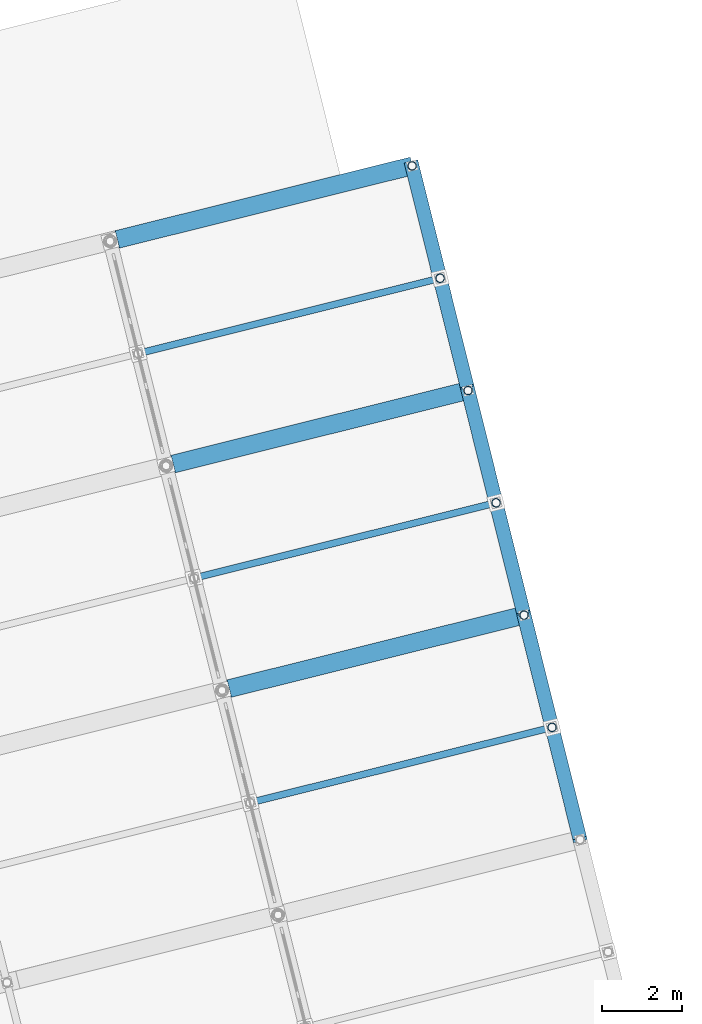
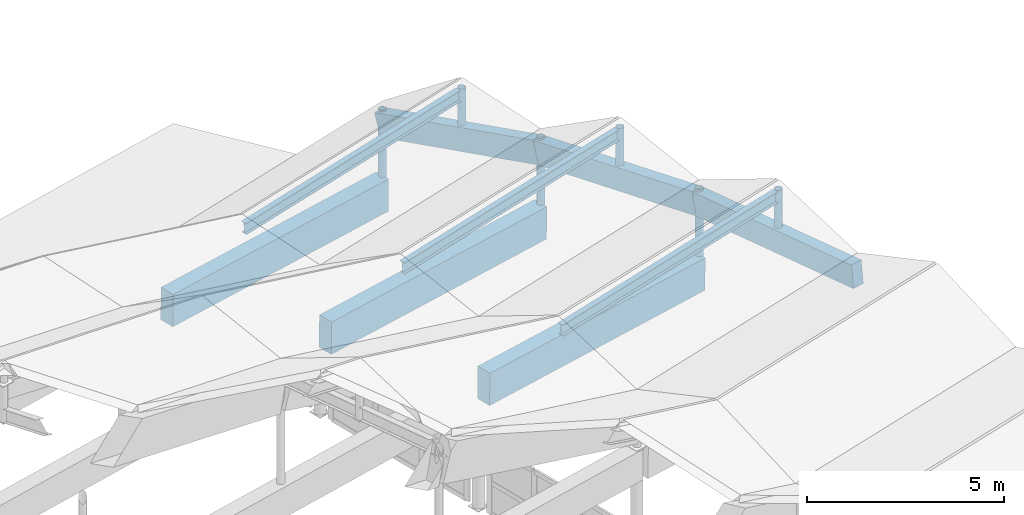
# One storey, part 32 of 65: 9 beams, 6 members.
"""IFC4 building model written with IfcOpenShell, lengths in metres."""

from ifc_helpers import new_model, si_unit, direction, frame, origin, origin_2d, place, context, subcontext, project, spatial, rectangle, hollow_circle, i_section, extrude, material, material_profile, profile_set, type_object, element, save


model = new_model("IFC4")

# Units and contexts
model_context = context("Model", 3, precision=1e-05, world=origin(), true_north=direction((0.0, 1.0)))
body_context = subcontext(model_context, "Body", "Model", "MODEL_VIEW")
ifc_project = project(units=[si_unit("LENGTHUNIT", "METRE"), si_unit("AREAUNIT", "SQUARE_METRE"), si_unit("VOLUMEUNIT", "CUBIC_METRE"), si_unit("PLANEANGLEUNIT", "RADIAN"), si_unit("MASSUNIT", "GRAM", prefix="KILO")], contexts=[model_context])

# Site, building, storey
site_placement = place(None, origin())
site = spatial("IfcSite", under=ifc_project, at=site_placement, CompositionType="ELEMENT")
building_placement = place(site_placement, origin())
building = spatial("IfcBuilding", under=site, at=building_placement, Name="Cinderway Yard Community Centre", CompositionType="ELEMENT")
storey_placement = place(building_placement, frame((0.0, 0.0, 24.300048828125)))
storey = spatial("IfcBuildingStorey", under=building, at=storey_placement, Name="RF", CompositionType="ELEMENT", Elevation=24.300048828125)

# Beams
ifc_material_1 = material(Name="Concrete C35/45", Category="concrete")
ifc_material_profile_1 = material_profile(ifc_material_1, rectangle(XDim=0.35009765625, YDim=0.699951171875, at=origin_2d()), Name="Concrete C35/45")
ifc_profile_set_1 = profile_set([ifc_material_profile_1], Name="Concrete C35/45")
beam_type_1 = type_object("IfcBeamType", Name="STR-BM-RC350X700", PredefinedType="BEAM", material=ifc_profile_set_1)
beam_1_placement = place(storey_placement, frame((48.93310546875, 56.2890625, -5.074951171875), z_axis=(-0.240426043456, 0.96421427694, -0.111741423712), x_axis=(-0.97029090175, -0.241941244896, 0.0)))
element("IfcBeam", 1, at=beam_1_placement, inside=storey, type_object=beam_type_1, Name="Folded-plate valley beam B5-U36", PredefinedType="BEAM", context=body_context, shape_type="SweptSolid", body=[
    extrude(rectangle(XDim=0.35009765625, YDim=0.699951171875, at=origin_2d()), origin(), (0.0, 0.0, 1.0), 5.835693359375),
])
beam_2_placement = place(storey_placement, frame((47.530029296875, 61.916015625, -5.72705078125), z_axis=(-0.235790387883, 0.94578737106, -0.223358773558), x_axis=(-0.97030075642, -0.2419017199, 0.0)))
element("IfcBeam", 2, at=beam_2_placement, inside=storey, type_object=beam_type_1, Name="Folded-plate valley beam B6-U36", PredefinedType="BEAM", context=body_context, shape_type="SweptSolid", body=[
    extrude(rectangle(XDim=0.35009765625, YDim=0.699951171875, at=origin_2d()), origin(), (0.0, 0.0, 1.0), 5.950439453125),
])
beam_3_placement = place(storey_placement, frame((46.126953125, 67.5439453125, -7.05615234375), z_axis=(-0.227856718633, 0.914163058587, -0.33524202912), x_axis=(-0.970313097527, -0.241852212657, 0.0)))
element("IfcBeam", 3, at=beam_3_placement, inside=storey, type_object=beam_type_1, Name="Folded-plate valley beam B7-U36", PredefinedType="BEAM", context=body_context, shape_type="SweptSolid", body=[
    extrude(rectangle(XDim=0.35009765625, YDim=0.699951171875, at=origin_2d()), origin(), (0.0, 0.0, 1.0), 6.15673828125),
])
ifc_material_2 = material(Name="Concrete C40/50", Category="concrete")
ifc_material_profile_2 = material_profile(ifc_material_2, rectangle(XDim=0.449951171875, YDim=1.0, at=origin_2d()), Name="Concrete C40/50")
ifc_profile_set_2 = profile_set([ifc_material_profile_2], Name="Concrete C40/50")
beam_type_2 = type_object("IfcBeamType", Name="STR-BM-RC450X1000", PredefinedType="BEAM", material=ifc_profile_set_2)
beam_4_placement = place(storey_placement, frame((40.136962890625, 60.072998046875, -7.757080078125), z_axis=(0.970184317263, 0.241857255499, -0.015730813677), x_axis=(-0.241887185871, 0.970304379724, 0.0)))
element("IfcBeam", 4, at=beam_4_placement, inside=storey, type_object=beam_type_2, Name="Main Hall folded-plate cantilever eave rib 06", PredefinedType="BEAM", context=body_context, shape_type="SweptSolid", body=[
    extrude(rectangle(XDim=0.449951171875, YDim=1.0, at=origin_2d()), origin(), (0.0, 0.0, 1.0), 7.620361328125),
])
beam_5_placement = place(storey_placement, frame((38.73291015625, 65.700927734375, -9.0859375), z_axis=(0.970191354547, 0.241827066482, -0.015760884449), x_axis=(-0.241857107663, 0.970311877425, 0.0)))
element("IfcBeam", 5, at=beam_5_placement, inside=storey, type_object=beam_type_2, Name="Main Hall folded-plate cantilever eave rib 07", PredefinedType="BEAM", context=body_context, shape_type="SweptSolid", body=[
    extrude(rectangle(XDim=0.449951171875, YDim=1.0, at=origin_2d()), origin(), (0.0, 0.0, 1.0), 7.621337890625),
])
beam_6_placement = place(storey_placement, frame((37.330078125, 71.327880859375, -11.150146484375), z_axis=(0.970154254349, 0.24197798446, -0.015728248659), x_axis=(-0.242007920005, 0.970274273932, 0.0)))
element("IfcBeam", 6, at=beam_6_placement, inside=storey, type_object=beam_type_2, Name="Main Hall folded-plate cantilever eave rib 08", PredefinedType="BEAM", context=body_context, shape_type="SweptSolid", body=[
    extrude(rectangle(XDim=0.449951171875, YDim=1.0, at=origin_2d()), origin(), (0.0, 0.0, 1.0), 7.62158203125),
])
ifc_material_3 = material(Name="Steel S355", Category="steel")
ifc_material_profile_3 = material_profile(ifc_material_3, i_section(OverallWidth=0.172119140625, OverallDepth=0.35791015625, WebThickness=0.0078125, FlangeThickness=0.01318359375, FilletRadius=0.010986328125, at=origin_2d()), Name="Steel S355")
ifc_profile_set_3 = profile_set([ifc_material_profile_3], Name="Steel S355")
beam_type_3 = type_object("IfcBeamType", Name="STR-BM-W360X57", PredefinedType="JOIST", material=ifc_profile_set_3)
for number, where, z_axis, x_axis, name in (
    (7, (40.764892578125, 57.240966796875, -4.506103515625), (0.968606522816, 0.241453278469, 0.059175318114), (-0.241877142663, 0.97030688334, 0.0), "Folded-plate ridge beam B5.6"),
    (8, (39.362060546875, 62.868896484375, -5.4970703125), (0.968599013168, 0.241483514371, 0.059174859325), (-0.241907425053, 0.970299334074, 0.0), "Folded-plate ridge beam B6.6"),
    (9, (37.958984375, 68.49609375, -7.193115234375), (0.968606522816, 0.241453278469, 0.059175318114), (-0.241877142663, 0.97030688334, 0.0), "Folded-plate ridge beam B7.6"),
):
    element("IfcBeam", number, at=place(storey_placement, frame(where, z_axis=z_axis, x_axis=x_axis)), inside=storey, type_object=beam_type_3, Name=name, PredefinedType="JOIST", context=body_context, shape_type="SweptSolid", body=[
        extrude(i_section(OverallWidth=0.172119140625, OverallDepth=0.35791015625, WebThickness=0.0078125, FlangeThickness=0.01318359375, FilletRadius=0.010986328125, at=origin_2d()), origin(), (0.0, 0.0, 1.0), 7.603759765625),
    ])

# Members
ifc_material_profile_4 = material_profile(ifc_material_3, hollow_circle(Radius=0.109619140625, WallThickness=0.010009765625, at=origin_2d()), Name="Steel S355")
ifc_profile_set_4 = profile_set([ifc_material_profile_4], Name="Steel S355")
member_type = type_object("IfcMemberType", Name="STR-MEM-STRUT-CHS219", PredefinedType="STRUT", material=ifc_profile_set_4)
member_placement = place(storey_placement, frame((47.530029296875, 61.916015625, -7.47705078125), z_axis=(0.0, 0.0, 1.0), x_axis=(1.0, 0.0, 0.0)))
element("IfcMember", 10, at=member_placement, inside=storey, type_object=member_type, Name="Arch rib web post 06-36", PredefinedType="STRUT", context=body_context, shape_type="SweptSolid", body=[
    extrude(hollow_circle(Radius=0.109619140625, WallThickness=0.010009765625, at=origin_2d()), origin(), (0.0, 0.0, 1.0), 2.179931640625),
])
for number, where, z_axis, x_axis, name in (
    (11, (46.126953125, 67.5439453125, -8.80615234375), (0.0, 0.0, 1.0), (1.0, 0.0, 0.0), "Arch rib web post 07-36"),
    (12, (44.72412109375, 73.172119140625, -10.8701171875), (0.0, 0.0, 1.0), (1.0, 0.0, 0.0), "Arch rib web post 08-36"),
):
    element("IfcMember", number, at=place(storey_placement, frame(where, z_axis=z_axis, x_axis=x_axis)), inside=storey, type_object=member_type, Name=name, PredefinedType="STRUT", context=body_context, shape_type="SweptSolid", body=[
        extrude(hollow_circle(Radius=0.109619140625, WallThickness=0.010009765625, at=origin_2d()), origin(), (0.0, 0.0, 1.0), 2.18017578125),
    ])
for number, where, z_axis, x_axis, name in (
    (13, (48.23193359375, 59.10205078125, -5.450927734375), (0.0, 0.0, 1.0), (1.0, 0.0, 0.0), "Folded-plate ridge kingpost B5-U36"),
    (14, (46.8291015625, 64.72998046875, -6.442138671875), (0.0, 0.0, 1.0), (1.0, 0.0, 0.0), "Folded-plate ridge kingpost B6-U36"),
    (15, (45.426025390625, 70.35791015625, -8.137939453125), (0.0, 0.0, 1.0), (1.0, 0.0, 0.0), "Folded-plate ridge kingpost B7-U36"),
):
    element("IfcMember", number, at=place(storey_placement, frame(where, z_axis=z_axis, x_axis=x_axis)), inside=storey, type_object=member_type, Name=name, PredefinedType="STRUT", context=body_context, shape_type="SweptSolid", body=[
        extrude(hollow_circle(Radius=0.109619140625, WallThickness=0.010009765625, at=origin_2d()), origin(), (0.0, 0.0, 1.0), 1.583984375),
    ])

save(model, "model.ifc")
